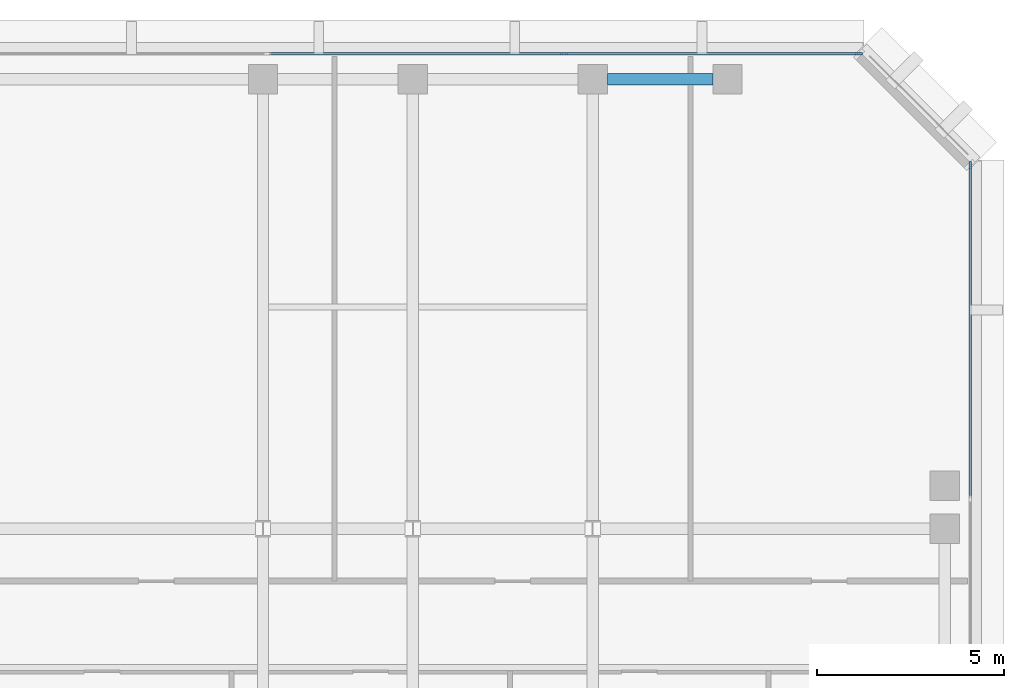
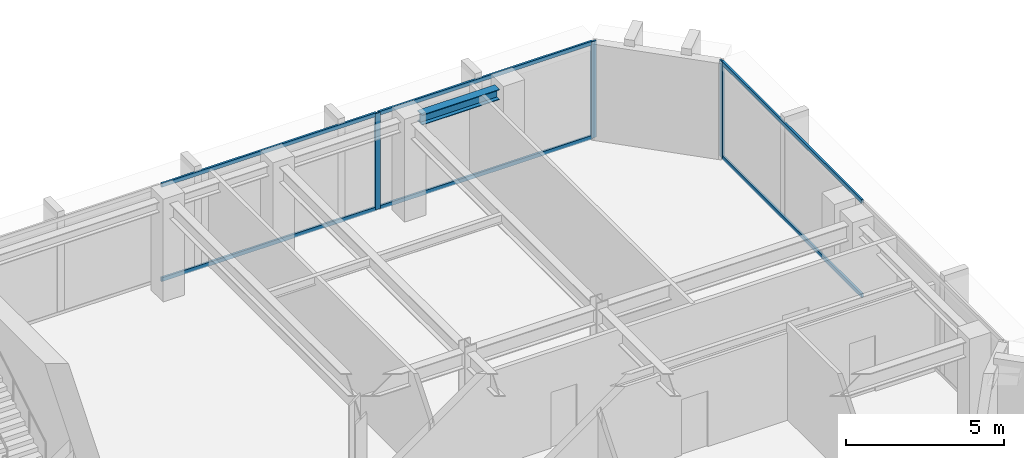
# One storey, part 5 of 12: 9 members, 1 beam, 2 elements without a shape of their own.
"""IFC4 building model written with IfcOpenShell, lengths in metres."""

from ifc_helpers import new_model, si_unit, direction, frame, origin, origin_2d, place, context, subcontext, project, spatial, rectangle, i_section, extrude, material, layer, layer_set, material_profile, profile_set, type_object, element, aggregate, save


model = new_model("IFC4")

# Units and contexts
model_context = context("Model", 3, precision=1e-05, world=origin(), true_north=direction((0.0, 1.0)))
body_context = subcontext(model_context, "Body", "Model", "MODEL_VIEW")
ifc_project = project(units=[si_unit("LENGTHUNIT", "METRE"), si_unit("AREAUNIT", "SQUARE_METRE"), si_unit("VOLUMEUNIT", "CUBIC_METRE"), si_unit("PLANEANGLEUNIT", "RADIAN"), si_unit("MASSUNIT", "GRAM", prefix="KILO")], contexts=[model_context])

# Site, building, storey
site_placement = place(None, origin())
site = spatial("IfcSite", under=ifc_project, at=site_placement, CompositionType="ELEMENT")
building_placement = place(site_placement, origin())
building = spatial("IfcBuilding", under=site, at=building_placement, Name="Kefirva Bronze Tower", CompositionType="ELEMENT")
storey_placement = place(building_placement, frame((0.0, 0.0, 260.3701171875)))
storey = spatial("IfcBuildingStorey", under=building, at=storey_placement, Name="L63", CompositionType="ELEMENT", Elevation=260.3701171875)

# Curtain wall, member
ifc_material_1 = material(Name="Bronze anodised aluminium", Category="aluminium")
ifc_layer = layer(ifc_material_1, 0.179931640625, Name="Bronze anodised aluminium")
ifc_layer_set = layer_set([ifc_layer], Name="Bronze anodised aluminium")
curtain_wall_type = type_object("IfcCurtainWallType", Name="Unitised Bronze Ribbon Curtain Wall Zone 3", PredefinedType="USERDEFINED", material=ifc_layer_set)
curtain_wall_1_placement = place(storey_placement, origin())
curtain_wall_1 = element("IfcCurtainWall", 1, at=curtain_wall_1_placement, inside=storey, type_object=curtain_wall_type, Name="L63 Curtain Wall 3", ObjectType="UNITISED CURTAIN WALL", PredefinedType="USERDEFINED")
ifc_material_profile_1 = material_profile(ifc_material_1, rectangle(XDim=0.074951171875, YDim=0.179931640625, at=origin_2d()), Name="ALU 75x180")
ifc_profile_set_1 = profile_set([ifc_material_profile_1], Name="Bronze anodised aluminium")
member_type_1 = type_object("IfcMemberType", Name="Bronze Mullion 75x180", PredefinedType="MULLION", material=ifc_profile_set_1)
member_1_placement = place(storey_placement, frame((50.080078125, 42.907470703125, 0.0), z_axis=(0.0, 0.0, 1.0), x_axis=(-1.0, 0.0, 0.0)))
member_1 = element("IfcMember", 2, at=member_1_placement, type_object=member_type_1, Name="CW-03 mullion 3", PredefinedType="MULLION", context=body_context, shape_type="SweptSolid", body=[
    extrude(rectangle(XDim=0.074951171875, YDim=0.179931640625, at=origin_2d()), origin(), (0.0, 0.0, 1.0), 3.7099609375),
])

# Curtain wall, members
curtain_wall_2_placement = place(storey_placement, origin())
curtain_wall_2 = element("IfcCurtainWall", 3, at=curtain_wall_2_placement, inside=storey, type_object=curtain_wall_type, Name="L63 Curtain Wall 4", ObjectType="UNITISED CURTAIN WALL", PredefinedType="USERDEFINED")
member_2_placement = place(storey_placement, frame((47.107421875, 45.8798828125, 0.0), z_axis=(0.0, 0.0, 1.0), x_axis=(0.0, -1.0, 0.0)))
member_2 = element("IfcMember", 4, at=member_2_placement, type_object=member_type_1, Name="CW-03 mullion 1", PredefinedType="MULLION", context=body_context, shape_type="SweptSolid", body=[
    extrude(rectangle(XDim=0.074951171875, YDim=0.179931640625, at=origin_2d()), origin(), (0.0, 0.0, 1.0), 3.7099609375),
])
member_3_placement = place(storey_placement, frame((39.231689453125, 45.8798828125, 0.0), z_axis=(0.0, 0.0, 1.0), x_axis=(0.0, -1.0, 0.0)))
member_3 = element("IfcMember", 5, at=member_3_placement, type_object=member_type_1, Name="CW-03 mullion 2", PredefinedType="MULLION", context=body_context, shape_type="SweptSolid", body=[
    extrude(rectangle(XDim=0.074951171875, YDim=0.179931640625, at=origin_2d()), origin(), (0.0, 0.0, 1.0), 3.7099609375),
])

# Member
ifc_material_profile_2 = material_profile(ifc_material_1, rectangle(XDim=0.074951171875, YDim=0.14990234375, at=origin_2d()), Name="ALU 75x150")
ifc_profile_set_2 = profile_set([ifc_material_profile_2], Name="Bronze anodised aluminium")
member_type_2 = type_object("IfcMemberType", Name="Bronze Transom 75x150", PredefinedType="USERDEFINED", material=ifc_profile_set_2)
member_4_placement = place(storey_placement, frame((50.080078125, 34.03759765625, 0.037353515625), z_axis=(0.0, 1.0, 0.0), x_axis=(-1.0, 0.0, 0.0)))
member_4 = element("IfcMember", 6, at=member_4_placement, type_object=member_type_2, Name="CW-03 transom 2.1", ObjectType="TRANSOM", PredefinedType="USERDEFINED", context=body_context, shape_type="SweptSolid", body=[
    extrude(rectangle(XDim=0.074951171875, YDim=0.14990234375, at=origin_2d()), origin(), (0.0, 0.0, 1.0), 8.83251953125),
])

member_5_placement = place(storey_placement, frame((50.080078125, 34.03759765625, 3.67236328125), z_axis=(0.0, 1.0, 0.0), x_axis=(-1.0, 0.0, 0.0)))
member_5 = element("IfcMember", 7, at=member_5_placement, type_object=member_type_2, Name="CW-03 transom 2.2", ObjectType="TRANSOM", PredefinedType="USERDEFINED", context=body_context, shape_type="SweptSolid", body=[
    extrude(rectangle(XDim=0.074951171875, YDim=0.14990234375, at=origin_2d()), origin(), (0.0, 0.0, 1.0), 8.83251953125),
])

aggregate(curtain_wall_1, [member_1, member_4, member_5])

member_6_placement = place(storey_placement, frame((47.070068359375, 45.8798828125, 0.037353515625), z_axis=(-1.0, 0.0, 0.0), x_axis=(0.0, -1.0, 0.0)))
member_6 = element("IfcMember", 8, at=member_6_placement, type_object=member_type_2, Name="CW-03 transom 1.1", ObjectType="TRANSOM", PredefinedType="USERDEFINED", context=body_context, shape_type="SweptSolid", body=[
    extrude(rectangle(XDim=0.074951171875, YDim=0.14990234375, at=origin_2d()), origin(), (0.0, 0.0, 1.0), 7.80078125),
])

member_7_placement = place(storey_placement, frame((47.070068359375, 45.8798828125, 3.67236328125), z_axis=(-1.0, 0.0, 0.0), x_axis=(0.0, -1.0, 0.0)))
member_7 = element("IfcMember", 9, at=member_7_placement, type_object=member_type_2, Name="CW-03 transom 1.2", ObjectType="TRANSOM", PredefinedType="USERDEFINED", context=body_context, shape_type="SweptSolid", body=[
    extrude(rectangle(XDim=0.074951171875, YDim=0.14990234375, at=origin_2d()), origin(), (0.0, 0.0, 1.0), 7.80078125),
])

member_8_placement = place(storey_placement, frame((39.194091796875, 45.8798828125, 0.037353515625), z_axis=(-1.0, 0.0, 0.0), x_axis=(0.0, -1.0, 0.0)))
member_8 = element("IfcMember", 10, at=member_8_placement, type_object=member_type_2, Name="CW-03 transom 2.1", ObjectType="TRANSOM", PredefinedType="USERDEFINED", context=body_context, shape_type="SweptSolid", body=[
    extrude(rectangle(XDim=0.074951171875, YDim=0.14990234375, at=origin_2d()), origin(), (0.0, 0.0, 1.0), 7.83837890625),
])

member_9_placement = place(storey_placement, frame((39.194091796875, 45.8798828125, 3.67236328125), z_axis=(-1.0, 0.0, 0.0), x_axis=(0.0, -1.0, 0.0)))
member_9 = element("IfcMember", 11, at=member_9_placement, type_object=member_type_2, Name="CW-03 transom 2.2", ObjectType="TRANSOM", PredefinedType="USERDEFINED", context=body_context, shape_type="SweptSolid", body=[
    extrude(rectangle(XDim=0.074951171875, YDim=0.14990234375, at=origin_2d()), origin(), (0.0, 0.0, 1.0), 7.83837890625),
])

aggregate(curtain_wall_2, [member_2, member_3, member_6, member_7, member_8, member_9])

# Beam
ifc_material_2 = material(Name="Steel S355", Category="steel")
ifc_material_profile_3 = material_profile(ifc_material_2, i_section(OverallWidth=0.300048828125, OverallDepth=0.39990234375, WebThickness=0.013427734375, FlangeThickness=0.02392578125, at=origin_2d()), Name="HEB 400")
ifc_profile_set_3 = profile_set([ifc_material_profile_3], Name="Steel S355")
beam_type = type_object("IfcBeamType", Name="Steel Spandrel HEB 400 Ext", PredefinedType="SPANDREL", material=ifc_profile_set_3)
beam_placement = place(storey_placement, frame((40.389892578125, 45.199951171875, 3.509765625), z_axis=(1.0, 0.0, 0.0), x_axis=(0.0, 1.0, 0.0)))
element("IfcBeam", 12, at=beam_placement, inside=storey, type_object=beam_type, Name="L63 BM-L63-EW-40-452", PredefinedType="SPANDREL", context=body_context, shape_type="SweptSolid", body=[
    extrude(i_section(OverallWidth=0.300048828125, OverallDepth=0.39990234375, WebThickness=0.013427734375, FlangeThickness=0.02392578125, at=origin_2d()), origin(), (0.0, 0.0, 1.0), 2.820068359375),
])

save(model, "model.ifc")
